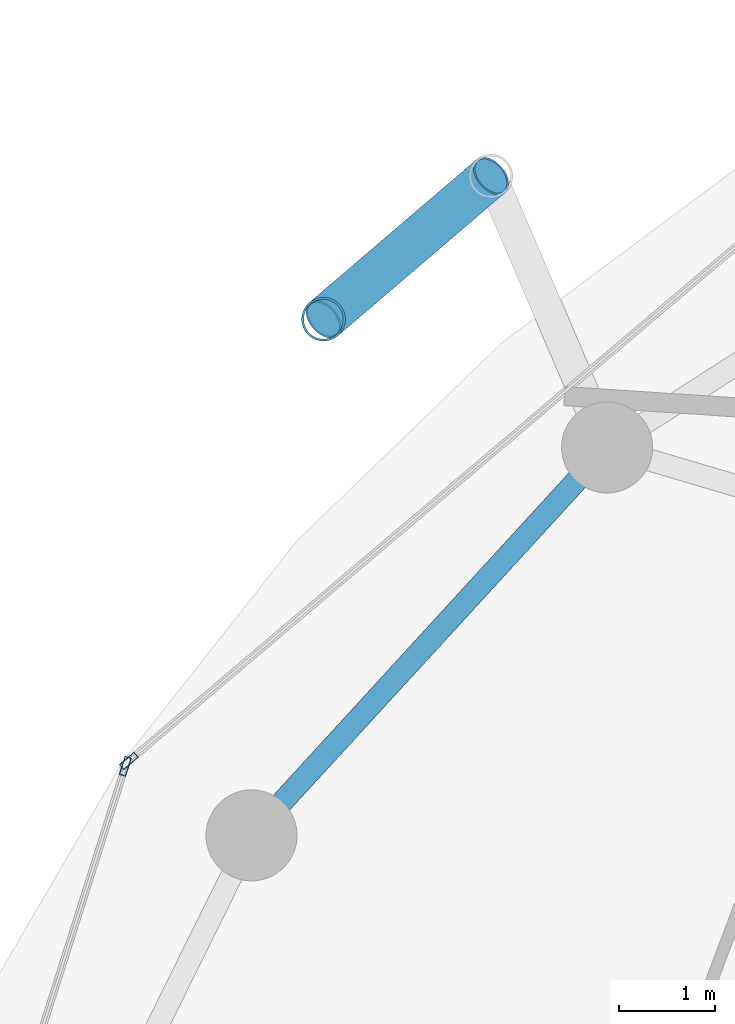
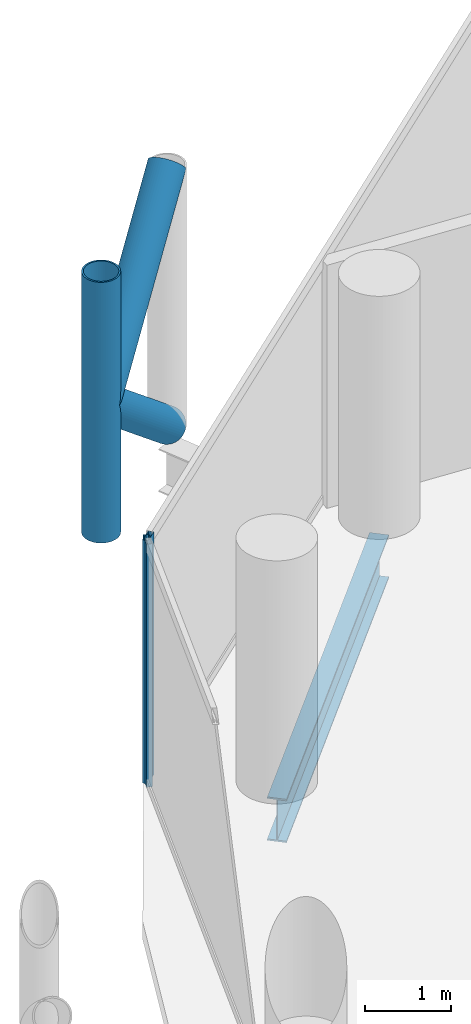
# One storey, part 13 of 26: 5 members, 1 beam, 2 elements without a shape of their own.
"""IFC4 building model written with IfcOpenShell, lengths in metres."""

from ifc_helpers import new_model, si_unit, direction, frame, origin, origin_2d, place, context, subcontext, project, spatial, hollow_rectangle, hollow_circle, i_section, extrude, material, layer, layer_set, material_profile, profile_set, type_object, element, aggregate, save


model = new_model("IFC4")

# Units and contexts
model_context = context("Model", 3, precision=1e-05, world=origin(), true_north=direction((0.0, 1.0)))
body_context = subcontext(model_context, "Body", "Model", "MODEL_VIEW")
ifc_project = project(units=[si_unit("LENGTHUNIT", "METRE"), si_unit("AREAUNIT", "SQUARE_METRE"), si_unit("VOLUMEUNIT", "CUBIC_METRE"), si_unit("PLANEANGLEUNIT", "RADIAN"), si_unit("MASSUNIT", "GRAM", prefix="KILO")], contexts=[model_context])

# Site, building, storey
site_placement = place(None, origin())
site = spatial("IfcSite", under=ifc_project, at=site_placement, CompositionType="ELEMENT")
building_placement = place(site_placement, origin())
building = spatial("IfcBuilding", under=site, at=building_placement, Name="Nuhasar Tower", CompositionType="ELEMENT")
storey_placement = place(building_placement, frame((0.0, 0.0, 170.050048828125)))
storey = spatial("IfcBuildingStorey", under=building, at=storey_placement, Name="L41", CompositionType="ELEMENT", Elevation=170.050048828125)

# Beam
ifc_material_1 = material(Name="Steel S355", Category="steel")
ifc_material_profile_1 = material_profile(ifc_material_1, i_section(OverallWidth=0.22998046875, OverallDepth=0.616943359375, WebThickness=0.01318359375, FlangeThickness=0.022216796875, at=origin_2d()), Name="W24X94")
ifc_profile_set_1 = profile_set([ifc_material_profile_1], Name="Steel S355")
beam_type = type_object("IfcBeamType", Name="BM-RING-W24X94", PredefinedType="SPANDREL", material=ifc_profile_set_1)
beam_placement = place(storey_placement, frame((22.489013671875, 40.6240234375, -0.55810546875), z_axis=(-0.675654174897, -0.737218716491, 0.0), x_axis=(0.737218716491, -0.675654174897, 0.0)))
element("IfcBeam", 1, at=beam_placement, inside=storey, type_object=beam_type, Name="L41 Perimeter Ring Spandrel 10", PredefinedType="SPANDREL", context=body_context, shape_type="SweptSolid", body=[
    extrude(i_section(OverallWidth=0.22998046875, OverallDepth=0.616943359375, WebThickness=0.01318359375, FlangeThickness=0.022216796875, at=origin_2d()), origin(), (0.0, 0.0, 1.0), 5.492431640625),
])

# Curtain wall, member
ifc_material_2 = material(Name="Aluminium 6063-T6", Category="aluminium")
ifc_layer = layer(ifc_material_2, 0.199951171875)
ifc_layer_set = layer_set([ifc_layer], Name="Aluminium 6063-T6")
curtain_wall_type = type_object("IfcCurtainWallType", Name="CW-Z2-HTL", PredefinedType="NOTDEFINED", material=ifc_layer_set)
curtain_wall_1_placement = place(storey_placement, origin())
curtain_wall_1 = element("IfcCurtainWall", 2, at=curtain_wall_1_placement, inside=storey, type_object=curtain_wall_type, Name="L41 Unitised Curtain Wall 05", PredefinedType="NOTDEFINED")
ifc_material_profile_2 = material_profile(ifc_material_2, hollow_rectangle(XDim=0.070068359375, YDim=0.199951171875, WallThickness=0.0048828125, at=origin_2d()), Name="CWM-3")
ifc_profile_set_2 = profile_set([ifc_material_profile_2], Name="Aluminium 6063-T6")
member_type_1 = type_object("IfcMemberType", Name="CW-MUL-S3", PredefinedType="MULLION", material=ifc_profile_set_2)
member_1_placement = place(storey_placement, frame((17.497802734375, 37.3525390625, 0.0), z_axis=(0.0, 0.0, 1.0), x_axis=(0.646374438324, -0.763020370292, 0.0)))
member_1 = element("IfcMember", 3, at=member_1_placement, type_object=member_type_1, Name="CW-Z2 mullion 2", PredefinedType="MULLION", context=body_context, shape_type="SweptSolid", body=[
    extrude(hollow_rectangle(XDim=0.070068359375, YDim=0.199951171875, WallThickness=0.0048828125, at=origin_2d()), origin(), (0.0, 0.0, 1.0), 3.449951171875),
])
aggregate(curtain_wall_1, [member_1])

curtain_wall_2_placement = place(storey_placement, origin())
curtain_wall_2 = element("IfcCurtainWall", 4, at=curtain_wall_2_placement, inside=storey, type_object=curtain_wall_type, Name="L41 Unitised Curtain Wall 06", PredefinedType="NOTDEFINED")
member_2_placement = place(storey_placement, frame((17.46044921875, 37.296630859375, 0.0), z_axis=(0.0, 0.0, 1.0), x_axis=(0.953433389233, -0.301603667577, 0.0)))
member_2 = element("IfcMember", 5, at=member_2_placement, type_object=member_type_1, Name="CW-Z2 mullion 1", PredefinedType="MULLION", context=body_context, shape_type="SweptSolid", body=[
    extrude(hollow_rectangle(XDim=0.070068359375, YDim=0.199951171875, WallThickness=0.0048828125, at=origin_2d()), origin(), (0.0, 0.0, 1.0), 3.449951171875),
])
aggregate(curtain_wall_2, [member_2])

# Members
ifc_material_3 = material(Name="Steel S460", Category="steel")
ifc_material_profile_3 = material_profile(ifc_material_3, hollow_circle(Radius=0.228515625, WallThickness=0.022216796875, at=origin_2d()), Name="HSS457X22.2")
ifc_profile_set_3 = profile_set([ifc_material_profile_3], Name="Steel S460")
member_type_2 = type_object("IfcMemberType", Name="EXO-BRONZE-457", PredefinedType="BRACE", material=ifc_profile_set_3)
member_3_placement = place(storey_placement, frame((19.529052734375, 41.9619140625, 0.0), z_axis=(0.0, 0.0, 1.0), x_axis=(1.0, 0.0, 0.0)))
element("IfcMember", 6, at=member_3_placement, inside=storey, type_object=member_type_2, Name="L41 Exoskeleton Chord Column EC-05B", PredefinedType="BRACE", context=body_context, shape_type="SweptSolid", body=[
    extrude(hollow_circle(Radius=0.228515625, WallThickness=0.022216796875, at=origin_2d()), origin(), (0.0, 0.0, 1.0), 3.699951171875),
])
member_4_placement = place(storey_placement, frame((21.277099609375, 43.45703125, 0.0), z_axis=(-0.592201065785, -0.506513872468, 0.626690988192), x_axis=(0.649986859795, -0.759945446788, 0.0)))
element("IfcMember", 7, at=member_4_placement, inside=storey, type_object=member_type_2, Name="L41 Bronze Diagrid Brace W1-05", PredefinedType="BRACE", context=body_context, shape_type="SweptSolid", body=[
    extrude(hollow_circle(Radius=0.228515625, WallThickness=0.022216796875, at=origin_2d()), origin(), (0.0, 0.0, 1.0), 2.95166015625),
])
member_5_placement = place(storey_placement, frame((19.529052734375, 41.9619140625, 1.849853515625), z_axis=(0.592170370358, 0.506487618445, 0.626741210415), x_axis=(-0.649986859795, 0.759945446788, 0.0)))
element("IfcMember", 8, at=member_5_placement, inside=storey, type_object=member_type_2, Name="L41 Bronze Diagrid Brace W2-05", PredefinedType="BRACE", context=body_context, shape_type="SweptSolid", body=[
    extrude(hollow_circle(Radius=0.228515625, WallThickness=0.022216796875, at=origin_2d()), origin(), (0.0, 0.0, 1.0), 2.951904296875),
])

save(model, "model.ifc")
